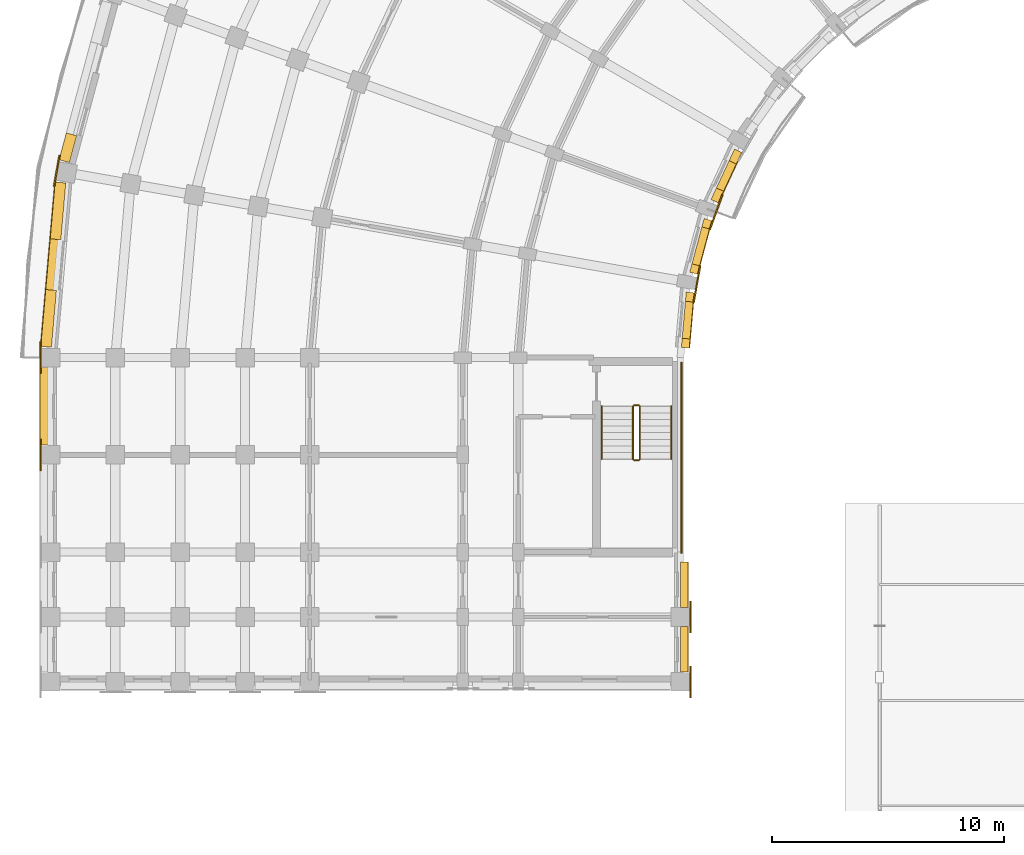
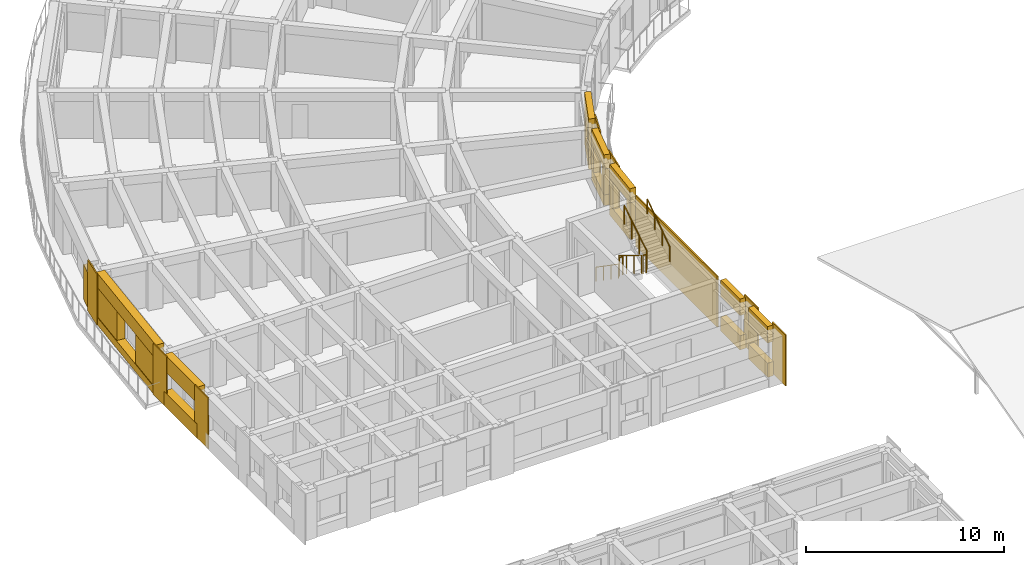
# One storey, part 65 of 76: 31 coverings, 6 railings.
"""IFC4 building model written with IfcOpenShell, lengths in metres."""

from ifc_helpers import new_model, si_unit, direction, frame, origin, origin_2d, place, context, subcontext, project, spatial, polyline, circle, outline, extrude, material, layer, layer_set, type_object, element, save


model = new_model("IFC4")

# Units and contexts
model_context = context("Model", 3, precision=1e-05, world=origin(), true_north=direction((0.0, 1.0)))
body_context = subcontext(model_context, "Body", "Model", "MODEL_VIEW")
ifc_project = project(units=[si_unit("LENGTHUNIT", "METRE"), si_unit("AREAUNIT", "SQUARE_METRE"), si_unit("VOLUMEUNIT", "CUBIC_METRE"), si_unit("PLANEANGLEUNIT", "RADIAN"), si_unit("MASSUNIT", "GRAM", prefix="KILO")], contexts=[model_context])

# Site, building, storey
site_placement = place(None, origin())
site = spatial("IfcSite", under=ifc_project, at=site_placement, CompositionType="ELEMENT")
building_placement = place(site_placement, origin())
building = spatial("IfcBuilding", under=site, at=building_placement, Name="Kiranvali Square Residences", CompositionType="ELEMENT")
storey_placement = place(building_placement, frame((0.0, 0.0, 8.699951171875)))
storey = spatial("IfcBuildingStorey", under=building, at=storey_placement, Name="L02", CompositionType="ELEMENT", Elevation=8.699951171875)

# Coverings
ifc_material_1 = material(Name="Honed Porbandar limestone ashlar facade cladding", Category="masonry")
ifc_layer_1 = layer(ifc_material_1, 0.3798828125)
ifc_layer_set_1 = layer_set([ifc_layer_1], Name="Honed Porbandar limestone ashlar facade cladding")
covering_type_1 = type_object("IfcCoveringType", Name="COV-CLAD-JAMB", PredefinedType="CLADDING", material=ifc_layer_set_1)
covering_1_placement = place(storey_placement, origin())
element("IfcCovering", 1, at=covering_1_placement, inside=storey, type_object=covering_type_1, Name="L02 deep limestone window jamb reveal A-L02-CRV-07.R", PredefinedType="CLADDING", context=body_context, shape_type="SweptSolid", body=[
    extrude(outline(polyline([(2.8818359375, 97.50146484375), (2.571044921875, 96.341552734375), (3.014892578125, 96.22265625), (3.32568359375, 97.382568359375), (2.8818359375, 97.50146484375)])), origin(), (0.0, 0.0, 1.0), 2.179931640625),
])
covering_2_placement = place(storey_placement, frame((0.0, 0.0, 0.47216796875)))
element("IfcCovering", 2, at=covering_2_placement, inside=storey, type_object=covering_type_1, Name="L02 deep limestone window jamb reveal A-L02-CRV-08.L", PredefinedType="CLADDING", context=body_context, shape_type="SweptSolid", body=[
    extrude(outline(polyline([(2.4013671875, 95.379638671875), (2.18701171875, 92.929931640625), (2.644775390625, 92.8896484375), (2.859130859375, 95.339599609375), (2.4013671875, 95.379638671875)])), origin(), (0.0, 0.0, 1.0), 1.7998046875),
])
covering_3_placement = place(storey_placement, frame((0.0, 0.0, 0.47216796875)))
element("IfcCovering", 3, at=covering_3_placement, inside=storey, type_object=covering_type_1, Name="L02 deep limestone window jamb reveal A-L02-CRV-08.R", PredefinedType="CLADDING", context=body_context, shape_type="SweptSolid", body=[
    extrude(outline(polyline([(1.995361328125, 90.73828125), (1.781005859375, 88.288330078125), (2.23876953125, 88.248291015625), (2.453125, 90.6982421875), (1.995361328125, 90.73828125)])), origin(), (0.0, 0.0, 1.0), 1.7998046875),
])
covering_4_placement = place(storey_placement, frame((0.0, 0.0, 0.77197265625)))
element("IfcCovering", 4, at=covering_4_placement, inside=storey, type_object=covering_type_1, Name="L02 deep limestone window jamb reveal A-L02-GDN-06.L", PredefinedType="CLADDING", context=body_context, shape_type="SweptSolid", body=[
    extrude(outline(polyline([(31.733154296875, 96.801025390625), (31.50146484375, 96.303955078125), (31.80908203125, 96.160400390625), (32.041015625, 96.657470703125), (31.733154296875, 96.801025390625)])), origin(), (0.0, 0.0, 1.0), 1.5),
])
covering_5_placement = place(storey_placement, frame((0.0, 0.0, 0.77197265625)))
element("IfcCovering", 5, at=covering_5_placement, inside=storey, type_object=covering_type_1, Name="L02 deep limestone window jamb reveal A-L02-GDN-06.R", PredefinedType="CLADDING", context=body_context, shape_type="SweptSolid", body=[
    extrude(outline(polyline([(30.951904296875, 95.125732421875), (30.72021484375, 94.62841796875), (31.02783203125, 94.485107421875), (31.259765625, 94.982177734375), (30.951904296875, 95.125732421875)])), origin(), (0.0, 0.0, 1.0), 1.5),
])
covering_6_placement = place(storey_placement, frame((0.0, 0.0, 0.672119140625)))
element("IfcCovering", 6, at=covering_6_placement, inside=storey, type_object=covering_type_1, Name="L02 deep limestone window jamb reveal A-L02-GDN-07.L", PredefinedType="CLADDING", context=body_context, shape_type="SweptSolid", body=[
    extrude(outline(polyline([(30.42041015625, 93.804931640625), (30.32373046875, 93.444091796875), (30.651611328125, 93.356201171875), (30.748291015625, 93.717041015625), (30.42041015625, 93.804931640625)])), origin(), (0.0, 0.0, 1.0), 1.599853515625),
])
covering_7_placement = place(storey_placement, frame((0.0, 0.0, 0.672119140625)))
element("IfcCovering", 7, at=covering_7_placement, inside=storey, type_object=covering_type_1, Name="L02 deep limestone window jamb reveal A-L02-GDN-07.R", PredefinedType="CLADDING", context=body_context, shape_type="SweptSolid", body=[
    extrude(outline(polyline([(29.896728515625, 91.850341796875), (29.800048828125, 91.489501953125), (30.1279296875, 91.401611328125), (30.224609375, 91.762451171875), (29.896728515625, 91.850341796875)])), origin(), (0.0, 0.0, 1.0), 1.599853515625),
])
covering_8_placement = place(storey_placement, frame((0.0, 0.0, 0.6220703125)))
element("IfcCovering", 8, at=covering_8_placement, inside=storey, type_object=covering_type_1, Name="L02 deep limestone window jamb reveal A-L02-GDN-08.L", PredefinedType="CLADDING", context=body_context, shape_type="SweptSolid", body=[
    extrude(outline(polyline([(29.647705078125, 90.626220703125), (29.613037109375, 90.229248046875), (29.951171875, 90.19970703125), (29.986083984375, 90.5966796875), (29.647705078125, 90.626220703125)])), origin(), (0.0, 0.0, 1.0), 1.64990234375),
])
covering_9_placement = place(storey_placement, frame((0.0, 0.0, 0.6220703125)))
element("IfcCovering", 9, at=covering_9_placement, inside=storey, type_object=covering_type_1, Name="L02 deep limestone window jamb reveal A-L02-GDN-08.R", PredefinedType="CLADDING", context=body_context, shape_type="SweptSolid", body=[
    extrude(outline(polyline([(29.4736328125, 88.63525390625), (29.43896484375, 88.23828125), (29.777099609375, 88.208740234375), (29.811767578125, 88.605712890625), (29.4736328125, 88.63525390625)])), origin(), (0.0, 0.0, 1.0), 1.64990234375),
])
ifc_layer_2 = layer(ifc_material_1, 0.06494140625)
ifc_layer_set_2 = layer_set([ifc_layer_2], Name="Honed Porbandar limestone ashlar facade cladding")
covering_type_2 = type_object("IfcCoveringType", Name="COV-CLAD-PIER", PredefinedType="CLADDING", material=ifc_layer_set_2)
covering_10_placement = place(storey_placement, frame((0.0, 0.0, 0.005126953125)))
element("IfcCovering", 10, at=covering_10_placement, inside=storey, type_object=covering_type_2, Name="L02 Classical limestone corner pilaster CLAD-PR-A-L02-A08", PredefinedType="CLADDING", context=body_context, shape_type="SweptSolid", body=[
    extrude(outline(polyline([(2.555908203125, 96.538818359375), (2.31982421875, 95.199462890625), (2.38623046875, 95.187744140625), (2.62255859375, 96.527099609375), (2.555908203125, 96.538818359375)])), origin(), (0.0, 0.0, 1.0), 3.139892578125),
])
covering_11_placement = place(storey_placement, frame((0.0, 0.0, 0.005126953125)))
element("IfcCovering", 11, at=covering_11_placement, inside=storey, type_object=covering_type_2, Name="L02 Classical limestone corner pilaster CLAD-PR-A-L02-A09", PredefinedType="CLADDING", context=body_context, shape_type="SweptSolid", body=[
    extrude(outline(polyline([(1.73193359375, 88.47998046875), (1.73193359375, 87.1201171875), (1.799560546875, 87.1201171875), (1.799560546875, 88.47998046875), (1.73193359375, 88.47998046875)])), origin(), (0.0, 0.0, 1.0), 3.139892578125),
])
covering_12_placement = place(storey_placement, frame((0.0, 0.0, 0.005126953125)))
element("IfcCovering", 12, at=covering_12_placement, inside=storey, type_object=covering_type_2, Name="L02 Classical limestone pilaster casing CLAD-PR-A-L02-V42", PredefinedType="CLADDING", context=body_context, shape_type="SweptSolid", body=[
    extrude(outline(polyline([(1.73193359375, 84.280029296875), (1.73193359375, 82.919921875), (1.799560546875, 82.919921875), (1.799560546875, 84.280029296875), (1.73193359375, 84.280029296875)])), origin(), (0.0, 0.0, 1.0), 3.139892578125),
])
covering_13_placement = place(storey_placement, frame((0.0, 0.0, 0.005126953125)))
element("IfcCovering", 13, at=covering_13_placement, inside=storey, type_object=covering_type_2, Name="Block A L02 Arm 2 stair limestone ashlar cladding", PredefinedType="CLADDING", context=body_context, shape_type="SweptSolid", body=[
    extrude(outline(polyline([(29.402099609375, 87.60009765625), (29.402099609375, 79.35009765625), (29.47998046875, 79.35009765625), (29.47998046875, 87.60009765625), (29.402099609375, 87.60009765625)])), origin(), (0.0, 0.0, 1.0), 3.139892578125),
])
ifc_layer_3 = layer(ifc_material_1, 0.050048828125)
ifc_layer_set_3 = layer_set([ifc_layer_3], Name="Honed Porbandar limestone ashlar facade cladding")
covering_type_3 = type_object("IfcCoveringType", Name="COV-CLAD-PIER-IN", PredefinedType="CLADDING", material=ifc_layer_set_3)
covering_14_placement = place(storey_placement, frame((0.0, 0.0, 0.005126953125)))
element("IfcCovering", 14, at=covering_14_placement, inside=storey, type_object=covering_type_3, Name="L02 Classical garden courtyard pilaster CLAD-PRIN-A-L02-A07", PredefinedType="CLADDING", context=body_context, shape_type="SweptSolid", body=[
    extrude(outline(polyline([(30.699951171875, 93.318115234375), (31.2470703125, 94.82177734375), (31.183837890625, 94.8447265625), (30.636474609375, 93.34130859375), (30.699951171875, 93.318115234375)])), origin(), (0.0, 0.0, 1.0), 3.139892578125),
])
covering_15_placement = place(storey_placement, frame((0.0, 0.0, 0.005126953125)))
element("IfcCovering", 15, at=covering_15_placement, inside=storey, type_object=covering_type_3, Name="L02 Classical garden courtyard pilaster CLAD-PRIN-A-L02-A08", PredefinedType="CLADDING", context=body_context, shape_type="SweptSolid", body=[
    extrude(outline(polyline([(30.007568359375, 90.195556640625), (30.285400390625, 91.771240234375), (30.218994140625, 91.782958984375), (29.941162109375, 90.207275390625), (30.007568359375, 90.195556640625)])), origin(), (0.0, 0.0, 1.0), 3.139892578125),
])
covering_16_placement = place(storey_placement, frame((0.0, 0.0, 0.005126953125)))
element("IfcCovering", 16, at=covering_16_placement, inside=storey, type_object=covering_type_3, Name="L02 Classical limestone pilaster casing CLAD-PRA2I-A-L02-V112", PredefinedType="CLADDING", context=body_context, shape_type="SweptSolid", body=[
    extrude(outline(polyline([(29.800537109375, 77.280029296875), (29.800537109375, 75.919921875), (29.867919921875, 75.919921875), (29.867919921875, 77.280029296875), (29.800537109375, 77.280029296875)])), origin(), (0.0, 0.0, 1.0), 3.139892578125),
])
covering_17_placement = place(storey_placement, frame((0.0, 0.0, 0.005126953125)))
element("IfcCovering", 17, at=covering_17_placement, inside=storey, type_object=covering_type_3, Name="L02 Classical limestone pilaster casing CLAD-PRA2I-A-L02-V140", PredefinedType="CLADDING", context=body_context, shape_type="SweptSolid", body=[
    extrude(outline(polyline([(29.800537109375, 74.47998046875), (29.800537109375, 73.1201171875), (29.867919921875, 73.1201171875), (29.867919921875, 74.47998046875), (29.800537109375, 74.47998046875)])), origin(), (0.0, 0.0, 1.0), 3.139892578125),
])
ifc_layer_4 = layer(ifc_material_1, 0.360107421875)
ifc_layer_set_4 = layer_set([ifc_layer_4], Name="Honed Porbandar limestone ashlar facade cladding")
covering_type_4 = type_object("IfcCoveringType", Name="COV-CLAD-WALL", PredefinedType="CLADDING", material=ifc_layer_set_4)
covering_18_placement = place(storey_placement, frame((0.0, 0.0, 2.27197265625)))
element("IfcCovering", 18, at=covering_18_placement, inside=storey, type_object=covering_type_4, Name="L02 light limestone spandrel lintel A-L02-CRV-08", PredefinedType="CLADDING", context=body_context, shape_type="SweptSolid", body=[
    extrude(outline(polyline([(2.4013671875, 95.379638671875), (1.781005859375, 88.288330078125), (2.23876953125, 88.248291015625), (2.859130859375, 95.339599609375), (2.4013671875, 95.379638671875)])), origin(), (0.0, 0.0, 1.0), 0.873046875),
])
covering_19_placement = place(storey_placement, frame((0.0, 0.0, 0.005126953125)))
element("IfcCovering", 19, at=covering_19_placement, inside=storey, type_object=covering_type_4, Name="L02 limestone window sill apron A-L02-CRV-08", PredefinedType="CLADDING", context=body_context, shape_type="SweptSolid", body=[
    extrude(outline(polyline([(2.37158203125, 95.38232421875), (1.7509765625, 88.291015625), (2.23876953125, 88.248291015625), (2.859130859375, 95.339599609375), (2.37158203125, 95.38232421875)])), origin(), (0.0, 0.0, 1.0), 0.467041015625),
])
covering_20_placement = place(storey_placement, frame((0.0, 0.0, 2.27197265625)))
element("IfcCovering", 20, at=covering_20_placement, inside=storey, type_object=covering_type_4, Name="L02 light limestone spandrel lintel A-L02-GDN-06", PredefinedType="CLADDING", context=body_context, shape_type="SweptSolid", body=[
    extrude(outline(polyline([(31.733154296875, 96.801025390625), (30.72021484375, 94.62841796875), (31.02783203125, 94.485107421875), (32.041015625, 96.657470703125), (31.733154296875, 96.801025390625)])), origin(), (0.0, 0.0, 1.0), 0.873046875),
])
covering_21_placement = place(storey_placement, frame((0.0, 0.0, 2.27197265625)))
element("IfcCovering", 21, at=covering_21_placement, inside=storey, type_object=covering_type_4, Name="L02 light limestone spandrel lintel A-L02-GDN-07", PredefinedType="CLADDING", context=body_context, shape_type="SweptSolid", body=[
    extrude(outline(polyline([(30.42041015625, 93.804931640625), (29.800048828125, 91.489501953125), (30.1279296875, 91.401611328125), (30.748291015625, 93.717041015625), (30.42041015625, 93.804931640625)])), origin(), (0.0, 0.0, 1.0), 0.873046875),
])
covering_22_placement = place(storey_placement, frame((0.0, 0.0, 2.27197265625)))
element("IfcCovering", 22, at=covering_22_placement, inside=storey, type_object=covering_type_4, Name="L02 light limestone spandrel lintel A-L02-GDN-08", PredefinedType="CLADDING", context=body_context, shape_type="SweptSolid", body=[
    extrude(outline(polyline([(29.647705078125, 90.626220703125), (29.43896484375, 88.23828125), (29.777099609375, 88.208740234375), (29.986083984375, 90.5966796875), (29.647705078125, 90.626220703125)])), origin(), (0.0, 0.0, 1.0), 0.873046875),
])
covering_23_placement = place(storey_placement, frame((0.0, 0.0, 2.130126953125)))
element("IfcCovering", 23, at=covering_23_placement, inside=storey, type_object=covering_type_4, Name="L02 light limestone spandrel lintel A-L02-A2O-0", PredefinedType="CLADDING", context=body_context, shape_type="SweptSolid", body=[
    extrude(outline(polyline([(1.75, 87.3798828125), (1.75, 84.02001953125), (2.199462890625, 84.02001953125), (2.199462890625, 87.3798828125), (1.75, 87.3798828125)])), origin(), (0.0, 0.0, 1.0), 1.014892578125),
])
covering_24_placement = place(storey_placement, frame((0.0, 0.0, 0.005126953125)))
element("IfcCovering", 24, at=covering_24_placement, inside=storey, type_object=covering_type_4, Name="L02 limestone window sill apron A-L02-A2O-0", PredefinedType="CLADDING", context=body_context, shape_type="SweptSolid", body=[
    extrude(outline(polyline([(1.719970703125, 87.3798828125), (1.719970703125, 84.02001953125), (2.199462890625, 84.02001953125), (2.199462890625, 87.3798828125), (1.719970703125, 87.3798828125)])), origin(), (0.0, 0.0, 1.0), 0.875),
])
covering_25_placement = place(storey_placement, frame((0.0, 0.0, 2.130126953125)))
element("IfcCovering", 25, at=covering_25_placement, inside=storey, type_object=covering_type_4, Name="L02 light limestone spandrel lintel A-L02-A2I-0", PredefinedType="CLADDING", context=body_context, shape_type="SweptSolid", body=[
    extrude(outline(polyline([(29.400390625, 78.97998046875), (29.400390625, 77.02001953125), (29.719970703125, 77.02001953125), (29.719970703125, 78.97998046875), (29.400390625, 78.97998046875)])), origin(), (0.0, 0.0, 1.0), 1.014892578125),
])
covering_26_placement = place(storey_placement, frame((0.0, 0.0, 0.005126953125)))
element("IfcCovering", 26, at=covering_26_placement, inside=storey, type_object=covering_type_4, Name="L02 limestone window sill apron A-L02-A2I-0", PredefinedType="CLADDING", context=body_context, shape_type="SweptSolid", body=[
    extrude(outline(polyline([(29.400390625, 78.97998046875), (29.400390625, 77.02001953125), (29.75, 77.02001953125), (29.75, 78.97998046875), (29.400390625, 78.97998046875)])), origin(), (0.0, 0.0, 1.0), 0.875),
])
covering_27_placement = place(storey_placement, frame((0.0, 0.0, 2.130126953125)))
element("IfcCovering", 27, at=covering_27_placement, inside=storey, type_object=covering_type_4, Name="L02 light limestone spandrel lintel A-L02-A2I-1", PredefinedType="CLADDING", context=body_context, shape_type="SweptSolid", body=[
    extrude(outline(polyline([(29.400390625, 76.179931640625), (29.400390625, 74.219970703125), (29.719970703125, 74.219970703125), (29.719970703125, 76.179931640625), (29.400390625, 76.179931640625)])), origin(), (0.0, 0.0, 1.0), 1.014892578125),
])
covering_28_placement = place(storey_placement, frame((0.0, 0.0, 0.005126953125)))
element("IfcCovering", 28, at=covering_28_placement, inside=storey, type_object=covering_type_4, Name="L02 limestone window sill apron A-L02-A2I-1", PredefinedType="CLADDING", context=body_context, shape_type="SweptSolid", body=[
    extrude(outline(polyline([(29.400390625, 76.179931640625), (29.400390625, 74.219970703125), (29.75, 74.219970703125), (29.75, 76.179931640625), (29.400390625, 76.179931640625)])), origin(), (0.0, 0.0, 1.0), 0.875),
])
ifc_layer_5 = layer(ifc_material_1, 0.2900390625)
ifc_layer_set_5 = layer_set([ifc_layer_5], Name="Honed Porbandar limestone ashlar facade cladding")
covering_type_5 = type_object("IfcCoveringType", Name="COV-CLAD-WALL-IN", PredefinedType="CLADDING", material=ifc_layer_set_5)
covering_29_placement = place(storey_placement, frame((0.0, 0.0, 0.005126953125)))
element("IfcCovering", 29, at=covering_29_placement, inside=storey, type_object=covering_type_5, Name="L02 limestone window sill apron A-L02-GDN-06", PredefinedType="CLADDING", context=body_context, shape_type="SweptSolid", body=[
    extrude(outline(polyline([(31.733154296875, 96.801025390625), (30.72021484375, 94.62841796875), (31.05517578125, 94.472412109375), (32.068115234375, 96.644775390625), (31.733154296875, 96.801025390625)])), origin(), (0.0, 0.0, 1.0), 0.766845703125),
])
covering_30_placement = place(storey_placement, frame((0.0, 0.0, 0.005126953125)))
element("IfcCovering", 30, at=covering_30_placement, inside=storey, type_object=covering_type_5, Name="L02 limestone window sill apron A-L02-GDN-07", PredefinedType="CLADDING", context=body_context, shape_type="SweptSolid", body=[
    extrude(outline(polyline([(30.42041015625, 93.804931640625), (29.800048828125, 91.489501953125), (30.156982421875, 91.393798828125), (30.77734375, 93.709228515625), (30.42041015625, 93.804931640625)])), origin(), (0.0, 0.0, 1.0), 0.6669921875),
])
covering_31_placement = place(storey_placement, frame((0.0, 0.0, 0.005126953125)))
element("IfcCovering", 31, at=covering_31_placement, inside=storey, type_object=covering_type_5, Name="L02 limestone window sill apron A-L02-GDN-08", PredefinedType="CLADDING", context=body_context, shape_type="SweptSolid", body=[
    extrude(outline(polyline([(29.647705078125, 90.626220703125), (29.43896484375, 88.23828125), (29.806884765625, 88.2060546875), (30.015869140625, 90.593994140625), (29.647705078125, 90.626220703125)])), origin(), (0.0, 0.0, 1.0), 0.616943359375),
])

# Railings
ifc_material_2 = material(Name="Brushed stainless steel tubular handrail", Category="steel")
railing_type_1 = type_object("IfcRailingType", Name="RL-HANDRAIL-900", PredefinedType="HANDRAIL", material=ifc_material_2)
railing_1_placement = place(storey_placement, frame((26.0, 85.699951171875, 0.175048828125)))
element("IfcRailing", 32, at=railing_1_placement, inside=storey, type_object=railing_type_1, Name="L02 ST-A3 stair handrail 1", PredefinedType="HANDRAIL", context=body_context, shape_type="SweptSolid", body=[
    extrude(circle(Radius=0.02392578125, at=origin_2d()), frame((0.0, 0.0, 0.8759765625), z_axis=(0.0, -0.82278801735, 0.568348377763), x_axis=(1.0, 0.0, 0.0)), (0.0, 0.0, 1.0), 2.77099609375),
    extrude(circle(Radius=0.02099609375, at=origin_2d()), origin(), (0.0, 0.0, 1.0), 0.851806640625),
    extrude(circle(Radius=0.02099609375, at=origin_2d()), frame((0.0, -0.760009765625, 0.52490234375)), (0.0, 0.0, 1.0), 0.851806640625),
    extrude(circle(Radius=0.02099609375, at=origin_2d()), frame((0.0, -1.52001953125, 1.050048828125)), (0.0, 0.0, 1.0), 0.851806640625),
    extrude(circle(Radius=0.02099609375, at=origin_2d()), frame((0.0, -2.280029296875, 1.574951171875)), (0.0, 0.0, 1.0), 0.851806640625),
])
railing_2_placement = place(storey_placement, frame((29.0, 83.419921875, 1.75)))
element("IfcRailing", 33, at=railing_2_placement, inside=storey, type_object=railing_type_1, Name="L02 ST-A3 stair handrail 2", PredefinedType="HANDRAIL", context=body_context, shape_type="SweptSolid", body=[
    extrude(circle(Radius=0.02392578125, at=origin_2d()), frame((0.0, 0.0, 0.8759765625), z_axis=(0.0, 0.82278801735, 0.568348377763), x_axis=(-1.0, 0.0, 0.0)), (0.0, 0.0, 1.0), 2.77099609375),
    extrude(circle(Radius=0.02099609375, at=origin_2d()), origin(), (0.0, 0.0, 1.0), 0.851806640625),
    extrude(circle(Radius=0.02099609375, at=origin_2d()), frame((0.0, 0.760009765625, 0.52490234375)), (0.0, 0.0, 1.0), 0.851806640625),
    extrude(circle(Radius=0.02099609375, at=origin_2d()), frame((0.0, 1.52001953125, 1.050048828125)), (0.0, 0.0, 1.0), 0.851806640625),
    extrude(circle(Radius=0.02099609375, at=origin_2d()), frame((0.0, 2.280029296875, 1.574951171875)), (0.0, 0.0, 1.0), 0.851806640625),
])
ifc_material_3 = material(Name="Powder-coated architectural bronze balustrade", Category="steel")
railing_type_2 = type_object("IfcRailingType", Name="RL-ST-GUARD-1200", PredefinedType="GUARDRAIL", material=ifc_material_3)
railing_3_placement = place(storey_placement, frame((27.35009765625, 85.699951171875, 0.175048828125)))
element("IfcRailing", 34, at=railing_3_placement, inside=storey, type_object=railing_type_2, Name="L02 ST-A3 stair guard 1", PredefinedType="GUARDRAIL", context=body_context, shape_type="SweptSolid", body=[
    extrude(circle(Radius=0.02392578125, at=origin_2d()), frame((0.0, 0.0, 1.1259765625), z_axis=(0.0, -0.852190499154, 0.523231643875), x_axis=(1.0, 0.0, 0.0)), (0.0, 0.0, 1.0), 2.675537109375),
    extrude(circle(Radius=0.02099609375, at=origin_2d()), origin(), (0.0, 0.0, 1.0), 1.101806640625),
    extrude(circle(Radius=0.02099609375, at=origin_2d()), frame((0.0, -0.760009765625, 0.466552734375)), (0.0, 0.0, 1.0), 1.101806640625),
    extrude(circle(Radius=0.02099609375, at=origin_2d()), frame((0.0, -1.52001953125, 0.933349609375)), (0.0, 0.0, 1.0), 1.101806640625),
    extrude(circle(Radius=0.02099609375, at=origin_2d()), frame((0.0, -2.280029296875, 1.39990234375)), (0.0, 0.0, 1.0), 1.101806640625),
])
railing_4_placement = place(storey_placement, frame((27.39990234375, 83.3701171875, 1.574951171875)))
element("IfcRailing", 35, at=railing_4_placement, inside=storey, type_object=railing_type_2, Name="L02 ST-A3 stair guard 2", PredefinedType="GUARDRAIL", context=body_context, shape_type="SweptSolid", body=[
    extrude(circle(Radius=0.02392578125, at=origin_2d()), frame((0.0, 0.0, 1.1259765625), z_axis=(1.0, 0.0, 0.0), x_axis=(0.0, 1.0, 0.0)), (0.0, 0.0, 1.0), 0.2001953125),
    extrude(circle(Radius=0.02099609375, at=origin_2d()), origin(), (0.0, 0.0, 1.0), 1.101806640625),
    extrude(circle(Radius=0.02099609375, at=origin_2d()), frame((0.2001953125, 0.0, 0.0)), (0.0, 0.0, 1.0), 1.101806640625),
])
railing_5_placement = place(storey_placement, frame((27.64990234375, 83.419921875, 1.75)))
element("IfcRailing", 36, at=railing_5_placement, inside=storey, type_object=railing_type_2, Name="L02 ST-A3 stair guard 3", PredefinedType="GUARDRAIL", context=body_context, shape_type="SweptSolid", body=[
    extrude(circle(Radius=0.02392578125, at=origin_2d()), frame((0.0, 0.0, 1.1259765625), z_axis=(0.0, 0.852149810458, 0.523297908018), x_axis=(-1.0, 0.0, 0.0)), (0.0, 0.0, 1.0), 2.675537109375),
    extrude(circle(Radius=0.02099609375, at=origin_2d()), origin(), (0.0, 0.0, 1.0), 1.101806640625),
    extrude(circle(Radius=0.02099609375, at=origin_2d()), frame((0.0, 0.760009765625, 0.466796875)), (0.0, 0.0, 1.0), 1.101806640625),
    extrude(circle(Radius=0.02099609375, at=origin_2d()), frame((0.0, 1.52001953125, 0.933349609375)), (0.0, 0.0, 1.0), 1.101806640625),
    extrude(circle(Radius=0.02099609375, at=origin_2d()), frame((0.0, 2.280029296875, 1.400146484375)), (0.0, 0.0, 1.0), 1.101806640625),
])
railing_6_placement = place(storey_placement, frame((27.39990234375, 85.75, 0.0)))
element("IfcRailing", 37, at=railing_6_placement, inside=storey, type_object=railing_type_2, Name="L02 ST-A3 stair guard 4", PredefinedType="GUARDRAIL", context=body_context, shape_type="SweptSolid", body=[
    extrude(circle(Radius=0.02392578125, at=origin_2d()), frame((0.0, 0.0, 1.1259765625), z_axis=(1.0, 0.0, 0.0), x_axis=(0.0, 1.0, 0.0)), (0.0, 0.0, 1.0), 0.2001953125),
    extrude(circle(Radius=0.02099609375, at=origin_2d()), origin(), (0.0, 0.0, 1.0), 1.101806640625),
    extrude(circle(Radius=0.02099609375, at=origin_2d()), frame((0.2001953125, 0.0, 0.0)), (0.0, 0.0, 1.0), 1.101806640625),
])

save(model, "model.ifc")
